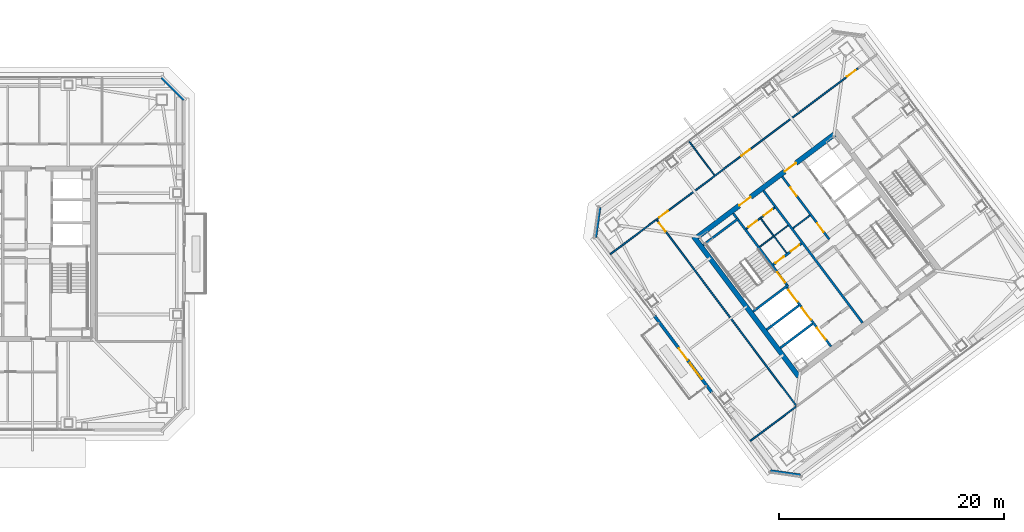
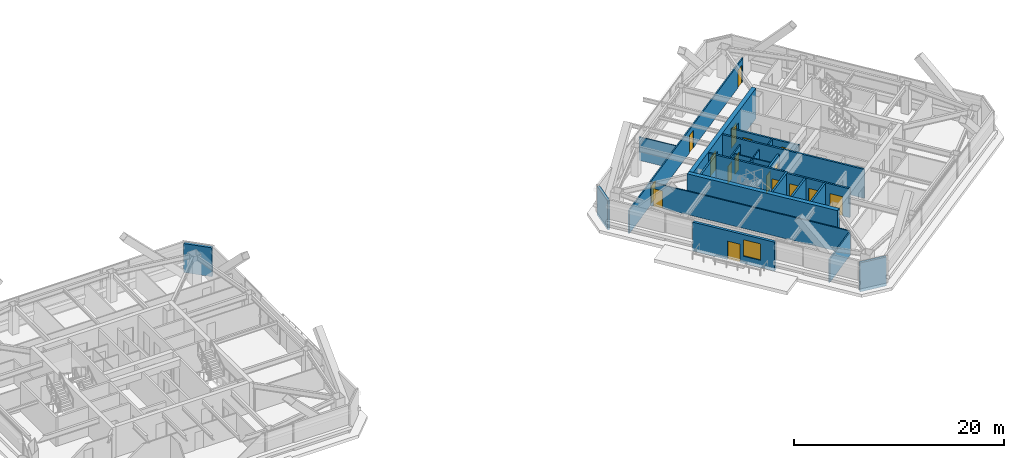
# One storey, part 32 of 39: 24 walls, 17 doors, 1 window, 18 openings.
"""IFC4 building model written with IfcOpenShell, lengths in metres."""

from ifc_helpers import new_model, si_unit, direction, frame, frame_2d, origin, place, context, subcontext, project, spatial, rectangle, extrude, material, layer, layer_set, type_object, element, fill, save


model = new_model("IFC4")

# Units and contexts
model_context = context("Model", 3, precision=1e-05, world=origin(), true_north=direction((0.0, 1.0)))
body_context = subcontext(model_context, "Body", "Model", "MODEL_VIEW")
ifc_project = project(units=[si_unit("LENGTHUNIT", "METRE"), si_unit("AREAUNIT", "SQUARE_METRE"), si_unit("VOLUMEUNIT", "CUBIC_METRE"), si_unit("PLANEANGLEUNIT", "RADIAN"), si_unit("MASSUNIT", "GRAM", prefix="KILO")], contexts=[model_context])

# Site, building, storey
site_placement = place(None, origin())
site = spatial("IfcSite", under=ifc_project, at=site_placement, CompositionType="ELEMENT")
building_placement = place(site_placement, origin())
building = spatial("IfcBuilding", under=site, at=building_placement, Name="Tashvorn Skyway Center", CompositionType="ELEMENT")
storey_placement = place(building_placement, frame((0.0, 0.0, 232.60009765625)))
storey = spatial("IfcBuildingStorey", under=building, at=storey_placement, Name="L63", CompositionType="ELEMENT", Elevation=232.60009765625)

# Wall
ifc_material_1 = material(Name="Concrete C50/60", Category="concrete")
ifc_layer_1 = layer(ifc_material_1, 0.449951171875)
ifc_layer_set_1 = layer_set([ifc_layer_1], Name="Concrete C50/60")
wall_type_1 = type_object("IfcWallType", Name="WALL-CORE-450", PredefinedType="SHEAR", material=ifc_layer_set_1)
wall_1_placement = place(storey_placement, frame((112.39599609375, 21.047119140625, 0.0), z_axis=(0.0, 0.0, 1.0), x_axis=(-0.600005007985, 0.799996243986, 0.0)))
element("IfcWall", 1, at=wall_1_placement, inside=storey, type_object=wall_type_1, Name="Tower 2 L63 West Core Shear Wall", PredefinedType="SHEAR", context=body_context, shape_type="SweptSolid", body=[
    extrude(rectangle(XDim=15.60009765625, YDim=0.449951171875, at=frame_2d((7.800048828125, 0.0))), origin(), (0.0, 0.0, 1.0), 3.5498046875),
])

# Wall, openings, doors
wall_2_placement = place(storey_placement, frame((103.35107421875, 33.48193359375, 0.0), z_axis=(0.0, 0.0, 1.0), x_axis=(0.8, 0.6, 0.0)))
wall_2 = element("IfcWall", 2, at=wall_2_placement, inside=storey, type_object=wall_type_1, Name="Tower 2 L63 North Core Shear Wall", PredefinedType="SHEAR", context=body_context, shape_type="SweptSolid", body=[
    extrude(rectangle(XDim=15.260009765625, YDim=0.449951171875, at=frame_2d((7.6298828125, 0.0))), origin(), (0.0, 0.0, 1.0), 3.5498046875),
])
opening_1_placement = place(wall_2_placement, frame((4.679931640625, 0.0, 0.0)))
opening_1 = element("IfcOpeningElement", 3, at=opening_1_placement, cuts=wall_2, Name="Opening D-FFL-1250", PredefinedType="OPENING", context=body_context, shape_type="SweptSolid", body=[
    extrude(rectangle(XDim=1.25, YDim=2.25, at=frame_2d((0.625, 1.125))), frame((0.0, 0.23486328125, 0.0), z_axis=(0.0, -1.0, 0.0), x_axis=(1.0, 0.0, 0.0)), (0.0, 0.0, 1.0), 0.469970703125),
])
opening_2_placement = place(wall_2_placement, frame((9.72998046875, 0.0, 0.0)))
opening_2 = element("IfcOpeningElement", 4, at=opening_2_placement, cuts=wall_2, Name="Opening D-FFL-1250", PredefinedType="OPENING", context=body_context, shape_type="SweptSolid", body=[
    extrude(rectangle(XDim=1.25, YDim=2.25, at=frame_2d((0.625, 1.125))), frame((0.0, 0.23486328125, 0.0), z_axis=(0.0, -1.0, 0.0), x_axis=(1.0, 0.0, 0.0)), (0.0, 0.0, 1.0), 0.469970703125),
])
ifc_material_2 = material(Name="Hollow galvanized steel fire door assembly", Category="steel")
door_type_1 = type_object("IfcDoorType", Name="DOOR-FFL-1250", OperationType="NOTDEFINED", PredefinedType="DOOR", material=ifc_material_2)
door_1_placement = place(opening_1_placement, origin())
door_1 = element("IfcDoor", 5, at=door_1_placement, inside=storey, type_object=door_type_1, Name="Tower 2 L63 Core North Service Lobby Door", OperationType="SINGLE_SWING_LEFT", OverallHeight=2.25, OverallWidth=1.25, PredefinedType="DOOR", context=body_context, shape_type="SweptSolid", body=[
    extrude(rectangle(XDim=1.25, YDim=2.25, at=frame_2d((0.625, 1.125))), frame((0.0, 0.02490234375, 0.0), z_axis=(0.0, -1.0, 0.0), x_axis=(1.0, 0.0, 0.0)), (0.0, 0.0, 1.0), 0.050048828125),
])
fill(opening_1, door_1)
door_2_placement = place(opening_2_placement, origin())
door_2 = element("IfcDoor", 6, at=door_2_placement, inside=storey, type_object=door_type_1, Name="Tower 2 L63 Core North Lift Lobby Door", OperationType="SINGLE_SWING_RIGHT", OverallHeight=2.25, OverallWidth=1.25, PredefinedType="DOOR", context=body_context, shape_type="SweptSolid", body=[
    extrude(rectangle(XDim=1.25, YDim=2.25, at=frame_2d((0.625, 1.125))), frame((0.0, 0.02490234375, 0.0), z_axis=(0.0, -1.0, 0.0), x_axis=(1.0, 0.0, 0.0)), (0.0, 0.0, 1.0), 0.050048828125),
])
fill(opening_2, door_2)

# Wall
ifc_material_3 = material(Name="Precast concrete C40/50", Category="concrete")
ifc_layer_2 = layer(ifc_material_3, 0.280029296875)
ifc_layer_set_2 = layer_set([ifc_layer_2], Name="Precast concrete C40/50")
wall_type_2 = type_object("IfcWallType", Name="WALL-EXT-280", PredefinedType="SOLIDWALL", material=ifc_layer_set_2)
wall_3_placement = place(storey_placement, frame((55.699951171875, 47.699951171875, 0.0), z_axis=(0.0, 0.0, 1.0), x_axis=(0.707106781187, -0.707106781187, 0.0)))
element("IfcWall", 7, at=wall_3_placement, inside=storey, type_object=wall_type_2, Name="Tower 1 L63 NE Precast Chamfer Wall", PredefinedType="SOLIDWALL", context=body_context, shape_type="SweptSolid", body=[
    extrude(rectangle(XDim=2.828369140625, YDim=0.280029296875, at=frame_2d((1.4140625, 0.0))), origin(), (0.0, 0.0, 1.0), 3.369873046875),
])

# Wall, openings, door, window
wall_4_placement = place(storey_placement, frame((104.64599609375, 19.672119140625, 0.0), z_axis=(0.0, 0.0, 1.0), x_axis=(-0.600018382406, 0.799986212866, 0.0)))
wall_4 = element("IfcWall", 8, at=wall_4_placement, inside=storey, type_object=wall_type_2, Name="Tower 2 L63 West Terrace Portal Wall", PredefinedType="SOLIDWALL", context=body_context, shape_type="SweptSolid", body=[
    extrude(rectangle(XDim=8.5, YDim=0.280029296875, at=frame_2d((4.25, 0.0))), origin(), (0.0, 0.0, 1.0), 3.369873046875),
])
opening_3_placement = place(wall_4_placement, frame((3.60009765625, 0.0, 0.0)))
opening_3 = element("IfcOpeningElement", 9, at=opening_3_placement, cuts=wall_4, Name="Opening D-TER-1300", PredefinedType="OPENING", context=body_context, shape_type="SweptSolid", body=[
    extrude(rectangle(XDim=1.300048828125, YDim=2.14990234375, at=frame_2d((0.64990234375, 1.074951171875))), frame((0.0, 0.14990234375, 0.0), z_axis=(0.0, -1.0, 0.0), x_axis=(1.0, 0.0, 0.0)), (0.0, 0.0, 1.0), 0.300048828125),
])
opening_4_placement = place(wall_4_placement, frame((1.4599609375, 0.0, 0.85009765625)))
opening_4 = element("IfcOpeningElement", 10, at=opening_4_placement, cuts=wall_4, Name="Opening WIN-1800", PredefinedType="OPENING", context=body_context, shape_type="SweptSolid", body=[
    extrude(rectangle(XDim=1.800048828125, YDim=1.919921875, at=frame_2d((0.89990234375, 0.9599609375))), frame((0.0, 0.14990234375, 0.0), z_axis=(0.0, -1.0, 0.0), x_axis=(1.0, 0.0, 0.0)), (0.0, 0.0, 1.0), 0.300048828125),
])
ifc_material_4 = material(Name="Thermally broken bronze-anodized aluminium 6063-T6", Category="aluminium")
door_type_2 = type_object("IfcDoorType", Name="DOOR-TERR-1300", OperationType="NOTDEFINED", PredefinedType="DOOR", material=ifc_material_4)
door_3_placement = place(opening_3_placement, origin())
door_3 = element("IfcDoor", 11, at=door_3_placement, inside=storey, type_object=door_type_2, Name="Tower 2 L63 Terrace Access Door", OperationType="SINGLE_SWING_RIGHT", OverallHeight=2.14990234375, OverallWidth=1.300048828125, PredefinedType="DOOR", context=body_context, shape_type="SweptSolid", body=[
    extrude(rectangle(XDim=1.300048828125, YDim=2.14990234375, at=frame_2d((0.64990234375, 1.074951171875))), frame((0.0, 0.02490234375, 0.0), z_axis=(0.0, -1.0, 0.0), x_axis=(1.0, 0.0, 0.0)), (0.0, 0.0, 1.0), 0.050048828125),
])
fill(opening_3, door_3)
ifc_material_5 = material(Name="Low-E solar-control double insulating safety glass", Category="glass")
window_type = type_object("IfcWindowType", Name="WIN-TERR-1800", PartitioningType="SINGLE_PANEL", PredefinedType="WINDOW", material=ifc_material_5)
window_placement = place(opening_4_placement, origin())
window = element("IfcWindow", 12, at=window_placement, inside=storey, type_object=window_type, Name="Tower 2 L63 Terrace Window", OverallHeight=1.919921875, OverallWidth=1.800048828125, PartitioningType="SINGLE_PANEL", PredefinedType="WINDOW", context=body_context, shape_type="SweptSolid", body=[
    extrude(rectangle(XDim=1.800048828125, YDim=1.919921875, at=frame_2d((0.89990234375, 0.9599609375))), frame((0.0, 0.030029296875, 0.0), z_axis=(0.0, -1.0, 0.0), x_axis=(1.0, 0.0, 0.0)), (0.0, 0.0, 1.0), 0.06005859375),
])
fill(opening_4, window)

# Walls
for number, where, z_axis, x_axis, name in (
    (13, (112.5400390625, 12.280029296875, 0.0), (0.0, 0.0, 1.0), (-0.989956760759, 0.141370477216, 0.0), "Tower 2 L63 SW Precast Chamfer Wall"),
    (14, (94.280029296875, 33.4599609375, 0.0), (0.0, 0.0, 1.0), (0.141370477216, 0.989956760759, 0.0), "Tower 2 L63 NW Precast Chamfer Wall"),
):
    element("IfcWall", number, at=place(storey_placement, frame(where, z_axis=z_axis, x_axis=x_axis)), inside=storey, type_object=wall_type_2, Name=name, PredefinedType="SOLIDWALL", context=body_context, shape_type="SweptSolid", body=[
        extrude(rectangle(XDim=2.687255859375, YDim=0.280029296875, at=frame_2d((1.34375, 0.0))), origin(), (0.0, 0.0, 1.0), 3.369873046875),
    ])

# Wall, openings, doors
ifc_material_6 = material(Name="Concrete C40/50", Category="concrete")
ifc_layer_3 = layer(ifc_material_6, 0.219970703125)
ifc_layer_set_3 = layer_set([ifc_layer_3], Name="Concrete C40/50")
wall_type_3 = type_object("IfcWallType", Name="WALL-FFL-220", PredefinedType="SOLIDWALL", material=ifc_layer_set_3)
wall_5_placement = place(storey_placement, frame((110.10400390625, 31.028076171875, 0.0), z_axis=(0.0, 0.0, 1.0), x_axis=(0.800018601094, 0.59997519774, 0.0)))
wall_5 = element("IfcWall", 15, at=wall_5_placement, inside=storey, type_object=wall_type_3, Name="Tower 2 L63 Firefighting Lobby North Wall", PredefinedType="SOLIDWALL", context=body_context, shape_type="SweptSolid", body=[
    extrude(rectangle(XDim=3.14990234375, YDim=0.219970703125, at=frame_2d((1.574951171875, 0.0))), origin(), (0.0, 0.0, 1.0), 2.722900390625),
])
opening_5_placement = place(wall_5_placement, frame((0.25, 0.0, 0.0)))
opening_5 = element("IfcOpeningElement", 16, at=opening_5_placement, cuts=wall_5, Name="Opening D-RT-950", PredefinedType="OPENING", context=body_context, shape_type="SweptSolid", body=[
    extrude(rectangle(XDim=0.949951171875, YDim=2.050048828125, at=frame_2d((0.47509765625, 1.02490234375))), frame((0.0, 0.119873046875, 0.0), z_axis=(0.0, -1.0, 0.0), x_axis=(1.0, 0.0, 0.0)), (0.0, 0.0, 1.0), 0.239990234375),
])
opening_6_placement = place(wall_5_placement, frame((1.949951171875, 0.0, 0.0)))
opening_6 = element("IfcOpeningElement", 17, at=opening_6_placement, cuts=wall_5, Name="Opening D-RT-950", PredefinedType="OPENING", context=body_context, shape_type="SweptSolid", body=[
    extrude(rectangle(XDim=0.949951171875, YDim=2.050048828125, at=frame_2d((0.47509765625, 1.02490234375))), frame((0.0, 0.119873046875, 0.0), z_axis=(0.0, -1.0, 0.0), x_axis=(1.0, 0.0, 0.0)), (0.0, 0.0, 1.0), 0.239990234375),
])
door_type_3 = type_object("IfcDoorType", Name="DOOR-RATED-950", OperationType="NOTDEFINED", PredefinedType="DOOR", material=ifc_material_2)
door_4_placement = place(opening_5_placement, origin())
door_4 = element("IfcDoor", 18, at=door_4_placement, inside=storey, type_object=door_type_3, Name="Tower 2 L63 Core Mail Room Door", OperationType="SINGLE_SWING_LEFT", OverallHeight=2.050048828125, OverallWidth=0.949951171875, PredefinedType="DOOR", context=body_context, shape_type="SweptSolid", body=[
    extrude(rectangle(XDim=0.949951171875, YDim=2.050048828125, at=frame_2d((0.47509765625, 1.02490234375))), frame((0.0, 0.02490234375, 0.0), z_axis=(0.0, -1.0, 0.0), x_axis=(1.0, 0.0, 0.0)), (0.0, 0.0, 1.0), 0.050048828125),
])
fill(opening_5, door_4)
door_5_placement = place(opening_6_placement, origin())
door_5 = element("IfcDoor", 19, at=door_5_placement, inside=storey, type_object=door_type_3, Name="Tower 2 L63 Core Supply Closet Door", OperationType="SINGLE_SWING_RIGHT", OverallHeight=2.050048828125, OverallWidth=0.949951171875, PredefinedType="DOOR", context=body_context, shape_type="SweptSolid", body=[
    extrude(rectangle(XDim=0.949951171875, YDim=2.050048828125, at=frame_2d((0.47509765625, 1.02490234375))), frame((0.0, 0.02490234375, 0.0), z_axis=(0.0, -1.0, 0.0), x_axis=(1.0, 0.0, 0.0)), (0.0, 0.0, 1.0), 0.050048828125),
])
fill(opening_6, door_5)

# Wall
ifc_material_7 = material(Name="Gypsum board on cold-formed steel stud framing", Category="steel")
ifc_layer_4 = layer(ifc_material_7, 0.110107421875)
ifc_layer_set_4 = layer_set([ifc_layer_4], Name="Gypsum board on cold-formed steel stud framing")
wall_type_4 = type_object("IfcWallType", Name="WALL-PART-110", PredefinedType="PARTITIONING", material=ifc_layer_set_4)
wall_6_placement = place(storey_placement, frame((104.8720703125, 39.00390625, 0.0), z_axis=(0.0, 0.0, 1.0), x_axis=(-0.6, 0.8, 0.0)))
element("IfcWall", 20, at=wall_6_placement, inside=storey, type_object=wall_type_4, Name="Tower 2 L63 North Suite Partition 1", PredefinedType="PARTITIONING", context=body_context, shape_type="SweptSolid", body=[
    extrude(rectangle(XDim=3.800048828125, YDim=0.110107421875, at=frame_2d((1.89990234375, 0.0))), origin(), (0.0, 0.0, 1.0), 2.722900390625),
])

# Wall, openings, doors
ifc_layer_5 = layer(ifc_material_7, 0.135009765625)
ifc_layer_set_5 = layer_set([ifc_layer_5], Name="Gypsum board on cold-formed steel stud framing")
wall_type_5 = type_object("IfcWallType", Name="WALL-PART-135", PredefinedType="PARTITIONING", material=ifc_layer_set_5)
wall_7_placement = place(storey_placement, frame((99.736083984375, 35.052001953125, 0.0), z_axis=(0.0, 0.0, 1.0), x_axis=(0.799997387685, 0.600003483071, 0.0)))
wall_7 = element("IfcWall", 21, at=wall_7_placement, inside=storey, type_object=wall_type_5, Name="Tower 2 L63 North Suite Wall", PredefinedType="PARTITIONING", context=body_context, shape_type="SweptSolid", body=[
    extrude(rectangle(XDim=22.429931640625, YDim=0.135009765625, at=frame_2d((11.21484375, 0.0))), origin(), (0.0, 0.0, 1.0), 2.722900390625),
])
opening_7_placement = place(wall_7_placement, frame((0.300048828125, 0.0, 0.0)))
opening_7 = element("IfcOpeningElement", 22, at=opening_7_placement, cuts=wall_7, Name="Opening D-INT-950", PredefinedType="OPENING", context=body_context, shape_type="SweptSolid", body=[
    extrude(rectangle(XDim=0.949951171875, YDim=2.050048828125, at=frame_2d((0.47509765625, 1.02490234375))), frame((0.0, 0.077392578125, 0.0), z_axis=(0.0, -1.0, 0.0), x_axis=(1.0, 0.0, 0.0)), (0.0, 0.0, 1.0), 0.155029296875),
])
opening_8_placement = place(wall_7_placement, frame((9.42333984375, 0.0, 0.0)))
opening_8 = element("IfcOpeningElement", 23, at=opening_8_placement, cuts=wall_7, Name="Opening D-INT-950", PredefinedType="OPENING", context=body_context, shape_type="SweptSolid", body=[
    extrude(rectangle(XDim=0.949951171875, YDim=2.050048828125, at=frame_2d((0.47509765625, 1.02490234375))), frame((0.0, 0.077392578125, 0.0), z_axis=(0.0, -1.0, 0.0), x_axis=(1.0, 0.0, 0.0)), (0.0, 0.0, 1.0), 0.155029296875),
])
opening_9_placement = place(wall_7_placement, frame((21.179931640625, 0.0, 0.0)))
opening_9 = element("IfcOpeningElement", 24, at=opening_9_placement, cuts=wall_7, Name="Opening D-INT-950", PredefinedType="OPENING", context=body_context, shape_type="SweptSolid", body=[
    extrude(rectangle(XDim=0.949951171875, YDim=2.050048828125, at=frame_2d((0.47509765625, 1.02490234375))), frame((0.0, 0.077392578125, 0.0), z_axis=(0.0, -1.0, 0.0), x_axis=(1.0, 0.0, 0.0)), (0.0, 0.0, 1.0), 0.155029296875),
])
ifc_material_8 = material(Name="Solid-core architectural oak veneer door")
door_type_4 = type_object("IfcDoorType", Name="DOOR-INT-950", OperationType="NOTDEFINED", PredefinedType="DOOR", material=ifc_material_8)
door_6_placement = place(opening_7_placement, origin())
door_6 = element("IfcDoor", 25, at=door_6_placement, inside=storey, type_object=door_type_4, Name="Tower 2 L63 Operations Control Room Door", OperationType="SINGLE_SWING_LEFT", OverallHeight=2.050048828125, OverallWidth=0.949951171875, PredefinedType="DOOR", context=body_context, shape_type="SweptSolid", body=[
    extrude(rectangle(XDim=0.949951171875, YDim=2.050048828125, at=frame_2d((0.47509765625, 1.02490234375))), frame((0.0, 0.02490234375, 0.0), z_axis=(0.0, -1.0, 0.0), x_axis=(1.0, 0.0, 0.0)), (0.0, 0.0, 1.0), 0.050048828125),
])
fill(opening_7, door_6)
door_7_placement = place(opening_8_placement, origin())
door_7 = element("IfcDoor", 26, at=door_7_placement, inside=storey, type_object=door_type_4, Name="Tower 2 L63 Operations Control Room Door", OperationType="SINGLE_SWING_RIGHT", OverallHeight=2.050048828125, OverallWidth=0.949951171875, PredefinedType="DOOR", context=body_context, shape_type="SweptSolid", body=[
    extrude(rectangle(XDim=0.949951171875, YDim=2.050048828125, at=frame_2d((0.47509765625, 1.02490234375))), frame((0.0, 0.02490234375, 0.0), z_axis=(0.0, -1.0, 0.0), x_axis=(1.0, 0.0, 0.0)), (0.0, 0.0, 1.0), 0.050048828125),
])
fill(opening_8, door_7)
door_8_placement = place(opening_9_placement, origin())
door_8 = element("IfcDoor", 27, at=door_8_placement, inside=storey, type_object=door_type_4, Name="Tower 2 L63 Boardroom Door", OperationType="SINGLE_SWING_LEFT", OverallHeight=2.050048828125, OverallWidth=0.949951171875, PredefinedType="DOOR", context=body_context, shape_type="SweptSolid", body=[
    extrude(rectangle(XDim=0.949951171875, YDim=2.050048828125, at=frame_2d((0.47509765625, 1.02490234375))), frame((0.0, 0.02490234375, 0.0), z_axis=(0.0, -1.0, 0.0), x_axis=(1.0, 0.0, 0.0)), (0.0, 0.0, 1.0), 0.050048828125),
])
fill(opening_9, door_8)

# Wall, opening, door
wall_8_placement = place(storey_placement, frame((112.14990234375, 18.5, 0.0), z_axis=(0.0, 0.0, 1.0), x_axis=(-0.599998104681, 0.800001421485, 0.0)))
wall_8 = element("IfcWall", 28, at=wall_8_placement, inside=storey, type_object=wall_type_5, Name="Tower 2 L63 West Inner Suite Wall", PredefinedType="PARTITIONING", context=body_context, shape_type="SweptSolid", body=[
    extrude(rectangle(XDim=20.610107421875, YDim=0.135009765625, at=frame_2d((10.30517578125, 0.0))), origin(), (0.0, 0.0, 1.0), 2.722900390625),
])
opening_10_placement = place(wall_8_placement, frame((19.360107421875, 0.0, 0.0)))
opening_10 = element("IfcOpeningElement", 29, at=opening_10_placement, cuts=wall_8, Name="Opening D-INT-950", PredefinedType="OPENING", context=body_context, shape_type="SweptSolid", body=[
    extrude(rectangle(XDim=0.949951171875, YDim=2.050048828125, at=frame_2d((0.47509765625, 1.02490234375))), frame((0.0, 0.077392578125, 0.0), z_axis=(0.0, -1.0, 0.0), x_axis=(1.0, 0.0, 0.0)), (0.0, 0.0, 1.0), 0.155029296875),
])
door_9_placement = place(opening_10_placement, origin())
door_9 = element("IfcDoor", 30, at=door_9_placement, inside=storey, type_object=door_type_4, Name="Tower 2 L63 Public Restroom Door", OperationType="SINGLE_SWING_LEFT", OverallHeight=2.050048828125, OverallWidth=0.949951171875, PredefinedType="DOOR", context=body_context, shape_type="SweptSolid", body=[
    extrude(rectangle(XDim=0.949951171875, YDim=2.050048828125, at=frame_2d((0.47509765625, 1.02490234375))), frame((0.0, 0.02490234375, 0.0), z_axis=(0.0, -1.0, 0.0), x_axis=(1.0, 0.0, 0.0)), (0.0, 0.0, 1.0), 0.050048828125),
])
fill(opening_10, door_9)

# Walls
for number, where, z_axis, x_axis, name in (
    (31, (99.672119140625, 35.00390625, 0.0), (0.0, 0.0, 1.0), (-0.800011556537, -0.599984590975, 0.0), "Tower 2 L63 West Suite North Wall"),
    (32, (108.077880859375, 15.345947265625, 0.0), (0.0, 0.0, 1.0), (0.800011556537, 0.599984590975, 0.0), "Tower 2 L63 West Suite South Wall"),
):
    element("IfcWall", number, at=place(storey_placement, frame(where, z_axis=z_axis, x_axis=x_axis)), inside=storey, type_object=wall_type_5, Name=name, PredefinedType="PARTITIONING", context=body_context, shape_type="SweptSolid", body=[
        extrude(rectangle(XDim=5.070068359375, YDim=0.135009765625, at=frame_2d((2.53515625, 0.0))), origin(), (0.0, 0.0, 1.0), 2.722900390625),
    ])
ifc_layer_6 = layer(ifc_material_7, 0.110107421875)
ifc_layer_set_6 = layer_set([ifc_layer_6], Name="Gypsum board on cold-formed steel stud framing")
wall_type_6 = type_object("IfcWallType", Name="WALL-RATED-110", PredefinedType="PARTITIONING", material=ifc_layer_set_6)
wall_9_placement = place(storey_placement, frame((111.2958984375, 32.072021484375, 0.0), z_axis=(0.0, 0.0, 1.0), x_axis=(-0.59995887973, 0.800030838552, 0.0)))
element("IfcWall", 33, at=wall_9_placement, inside=storey, type_object=wall_type_6, Name="Tower 2 L63 Core Cross Vertical", PredefinedType="PARTITIONING", context=body_context, shape_type="SweptSolid", body=[
    extrude(rectangle(XDim=3.7998046875, YDim=0.110107421875, at=frame_2d((1.89990234375, 0.0))), origin(), (0.0, 0.0, 1.0), 2.722900390625),
])
wall_10_placement = place(storey_placement, frame((108.909912109375, 32.6201171875, 0.0), z_axis=(0.0, 0.0, 1.0), x_axis=(0.800018601094, 0.59997519774, 0.0)))
element("IfcWall", 34, at=wall_10_placement, inside=storey, type_object=wall_type_6, Name="Tower 2 L63 Core Cross Horizontal", PredefinedType="PARTITIONING", context=body_context, shape_type="SweptSolid", body=[
    extrude(rectangle(XDim=3.14990234375, YDim=0.110107421875, at=frame_2d((1.574951171875, 0.0))), origin(), (0.0, 0.0, 1.0), 2.722900390625),
])

# Wall, openings, doors
ifc_layer_7 = layer(ifc_material_7, 0.135009765625)
ifc_layer_set_7 = layer_set([ifc_layer_7], Name="Gypsum board on cold-formed steel stud framing")
wall_type_7 = type_object("IfcWallType", Name="WALL-RATED-135", PredefinedType="PARTITIONING", material=ifc_layer_set_7)
wall_11_placement = place(storey_placement, frame((107.7099609375, 34.219970703125, 0.0), z_axis=(0.0, 0.0, 1.0), x_axis=(0.799981399002, 0.60002480053, 0.0)))
wall_11 = element("IfcWall", 35, at=wall_11_placement, inside=storey, type_object=wall_type_7, Name="Tower 2 L63 Core Service Lobby Wall", PredefinedType="PARTITIONING", context=body_context, shape_type="SweptSolid", body=[
    extrude(rectangle(XDim=3.150146484375, YDim=0.135009765625, at=frame_2d((1.5751953125, 0.0))), origin(), (0.0, 0.0, 1.0), 2.722900390625),
])
opening_11_placement = place(wall_11_placement, frame((0.25, 0.0, 0.0)))
opening_11 = element("IfcOpeningElement", 36, at=opening_11_placement, cuts=wall_11, Name="Opening D-RT-950", PredefinedType="OPENING", context=body_context, shape_type="SweptSolid", body=[
    extrude(rectangle(XDim=0.949951171875, YDim=2.050048828125, at=frame_2d((0.47509765625, 1.02490234375))), frame((0.0, 0.077392578125, 0.0), z_axis=(0.0, -1.0, 0.0), x_axis=(1.0, 0.0, 0.0)), (0.0, 0.0, 1.0), 0.155029296875),
])
opening_12_placement = place(wall_11_placement, frame((1.949951171875, 0.0, 0.0)))
opening_12 = element("IfcOpeningElement", 37, at=opening_12_placement, cuts=wall_11, Name="Opening D-RT-950", PredefinedType="OPENING", context=body_context, shape_type="SweptSolid", body=[
    extrude(rectangle(XDim=0.949951171875, YDim=2.050048828125, at=frame_2d((0.47509765625, 1.02490234375))), frame((0.0, 0.077392578125, 0.0), z_axis=(0.0, -1.0, 0.0), x_axis=(1.0, 0.0, 0.0)), (0.0, 0.0, 1.0), 0.155029296875),
])
door_10_placement = place(opening_11_placement, origin())
door_10 = element("IfcDoor", 38, at=door_10_placement, inside=storey, type_object=door_type_3, Name="Tower 2 L63 Core Cleaner Store Door", OperationType="SINGLE_SWING_LEFT", OverallHeight=2.050048828125, OverallWidth=0.949951171875, PredefinedType="DOOR", context=body_context, shape_type="SweptSolid", body=[
    extrude(rectangle(XDim=0.949951171875, YDim=2.050048828125, at=frame_2d((0.47509765625, 1.02490234375))), frame((0.0, 0.02490234375, 0.0), z_axis=(0.0, -1.0, 0.0), x_axis=(1.0, 0.0, 0.0)), (0.0, 0.0, 1.0), 0.050048828125),
])
fill(opening_11, door_10)
door_11_placement = place(opening_12_placement, origin())
door_11 = element("IfcDoor", 39, at=door_11_placement, inside=storey, type_object=door_type_3, Name="Tower 2 L63 Core Accessible WC Door", OperationType="SINGLE_SWING_RIGHT", OverallHeight=2.050048828125, OverallWidth=0.949951171875, PredefinedType="DOOR", context=body_context, shape_type="SweptSolid", body=[
    extrude(rectangle(XDim=0.949951171875, YDim=2.050048828125, at=frame_2d((0.47509765625, 1.02490234375))), frame((0.0, 0.02490234375, 0.0), z_axis=(0.0, -1.0, 0.0), x_axis=(1.0, 0.0, 0.0)), (0.0, 0.0, 1.0), 0.050048828125),
])
fill(opening_12, door_11)

# Walls
wall_12_placement = place(storey_placement, frame((111.8759765625, 34.281982421875, 0.0), z_axis=(0.0, 0.0, 1.0), x_axis=(0.8, 0.6, 0.0)))
element("IfcWall", 40, at=wall_12_placement, inside=storey, type_object=wall_type_7, Name="Tower 2 L63 Freed Mid-Rise Partition", PredefinedType="PARTITIONING", context=body_context, shape_type="SweptSolid", body=[
    extrude(rectangle(XDim=1.8798828125, YDim=0.135009765625, at=frame_2d((0.93994140625, 0.0))), origin(), (0.0, 0.0, 1.0), 2.722900390625),
])
ifc_layer_8 = layer(ifc_material_6, 0.199951171875)
ifc_layer_set_8 = layer_set([ifc_layer_8], Name="Concrete C40/50")
wall_type_8 = type_object("IfcWallType", Name="WALL-SHAFT-200", PredefinedType="SOLIDWALL", material=ifc_layer_set_8)
for number, where, z_axis, x_axis, name in (
    (41, (110.74609375, 23.6220703125, 0.0), (0.0, 0.0, 1.0), (0.800008183455, 0.599989088572, 0.0), "Tower 2 L63 FSAE Shaft Divider"),
    (42, (109.528076171875, 25.24609375, 0.0), (0.0, 0.0, 1.0), (0.800008183455, 0.599989088572, 0.0), "Tower 2 L63 FSAE Shaft Divider"),
):
    element("IfcWall", number, at=place(storey_placement, frame(where, z_axis=z_axis, x_axis=x_axis)), inside=storey, type_object=wall_type_8, Name=name, PredefinedType="SOLIDWALL", context=body_context, shape_type="SweptSolid", body=[
        extrude(rectangle(XDim=3.580078125, YDim=0.199951171875, at=frame_2d((1.7900390625, 0.0))), origin(), (0.0, 0.0, 1.0), 3.369873046875),
    ])

# Wall, openings, doors
wall_13_placement = place(storey_placement, frame((115.110107421875, 33.27001953125, 0.0), z_axis=(0.0, 0.0, 1.0), x_axis=(-0.600011160345, 0.79999162962, 0.0)))
wall_13 = element("IfcWall", 43, at=wall_13_placement, inside=storey, type_object=wall_type_8, Name="Tower 2 L63 Mid-Rise Core Wall", PredefinedType="SOLIDWALL", context=body_context, shape_type="SweptSolid", body=[
    extrude(rectangle(XDim=7.000244140625, YDim=0.199951171875, at=frame_2d((3.5, 0.0))), origin(), (0.0, 0.0, 1.0), 2.722900390625),
])
opening_13_placement = place(wall_13_placement, frame((0.85009765625, 0.0, 0.0)))
opening_13 = element("IfcOpeningElement", 44, at=opening_13_placement, cuts=wall_13, Name="Opening D-RT-950", PredefinedType="OPENING", context=body_context, shape_type="SweptSolid", body=[
    extrude(rectangle(XDim=0.949951171875, YDim=2.050048828125, at=frame_2d((0.47509765625, 1.02490234375))), frame((0.0, 0.10986328125, 0.0), z_axis=(0.0, -1.0, 0.0), x_axis=(1.0, 0.0, 0.0)), (0.0, 0.0, 1.0), 0.219970703125),
])
opening_14_placement = place(wall_13_placement, frame((4.85009765625, 0.0, 0.0)))
opening_14 = element("IfcOpeningElement", 45, at=opening_14_placement, cuts=wall_13, Name="Opening D-RT-950", PredefinedType="OPENING", context=body_context, shape_type="SweptSolid", body=[
    extrude(rectangle(XDim=0.949951171875, YDim=2.050048828125, at=frame_2d((0.47509765625, 1.02490234375))), frame((0.0, 0.10986328125, 0.0), z_axis=(0.0, -1.0, 0.0), x_axis=(1.0, 0.0, 0.0)), (0.0, 0.0, 1.0), 0.219970703125),
])
door_12_placement = place(opening_13_placement, origin())
door_12 = element("IfcDoor", 46, at=door_12_placement, inside=storey, type_object=door_type_3, Name="Tower 2 L63 Core IT Room Door", OperationType="SINGLE_SWING_RIGHT", OverallHeight=2.050048828125, OverallWidth=0.949951171875, PredefinedType="DOOR", context=body_context, shape_type="SweptSolid", body=[
    extrude(rectangle(XDim=0.949951171875, YDim=2.050048828125, at=frame_2d((0.47509765625, 1.02490234375))), frame((0.0, 0.02490234375, 0.0), z_axis=(0.0, -1.0, 0.0), x_axis=(1.0, 0.0, 0.0)), (0.0, 0.0, 1.0), 0.050048828125),
])
fill(opening_13, door_12)
door_13_placement = place(opening_14_placement, origin())
door_13 = element("IfcDoor", 47, at=door_13_placement, inside=storey, type_object=door_type_3, Name="Tower 2 L63 Core Catering Pantry Door", OperationType="SINGLE_SWING_LEFT", OverallHeight=2.050048828125, OverallWidth=0.949951171875, PredefinedType="DOOR", context=body_context, shape_type="SweptSolid", body=[
    extrude(rectangle(XDim=0.949951171875, YDim=2.050048828125, at=frame_2d((0.47509765625, 1.02490234375))), frame((0.0, 0.02490234375, 0.0), z_axis=(0.0, -1.0, 0.0), x_axis=(1.0, 0.0, 0.0)), (0.0, 0.0, 1.0), 0.050048828125),
])
fill(opening_14, door_13)

# Wall, opening, door
ifc_layer_9 = layer(ifc_material_6, 0.199951171875)
ifc_layer_set_9 = layer_set([ifc_layer_9], Name="Concrete C40/50")
wall_type_9 = type_object("IfcWallType", Name="WALL-STSHF-200", PredefinedType="SHEAR", material=ifc_layer_set_9)
wall_14_placement = place(storey_placement, frame((111.43994140625, 29.080078125, 0.0), z_axis=(0.0, 0.0, 1.0), x_axis=(-0.59999041401, 0.800007189403, 0.0)))
wall_14 = element("IfcWall", 48, at=wall_14_placement, inside=storey, type_object=wall_type_9, Name="Tower 2 L63 Stair 1 Enclosure Wall", PredefinedType="SHEAR", context=body_context, shape_type="SweptSolid", body=[
    extrude(rectangle(XDim=8.14990234375, YDim=0.199951171875, at=frame_2d((4.074951171875, 0.0))), origin(), (0.0, 0.0, 1.0), 3.369873046875),
])
opening_15_placement = place(wall_14_placement, frame((0.449951171875, 0.0, 0.0)))
opening_15 = element("IfcOpeningElement", 49, at=opening_15_placement, cuts=wall_14, Name="Opening D-ST-1150", PredefinedType="OPENING", context=body_context, shape_type="SweptSolid", body=[
    extrude(rectangle(XDim=1.14990234375, YDim=2.199951171875, at=frame_2d((0.574951171875, 1.10009765625))), frame((0.0, 0.10986328125, 0.0), z_axis=(0.0, -1.0, 0.0), x_axis=(1.0, 0.0, 0.0)), (0.0, 0.0, 1.0), 0.219970703125),
])
door_type_5 = type_object("IfcDoorType", Name="DOOR-STAIR-1150", OperationType="NOTDEFINED", PredefinedType="DOOR", material=ifc_material_2)
door_14_placement = place(opening_15_placement, origin())
door_14 = element("IfcDoor", 50, at=door_14_placement, inside=storey, type_object=door_type_5, Name="Tower 2 L63 Exit Stair 1 Door", OperationType="SINGLE_SWING_RIGHT", OverallHeight=2.199951171875, OverallWidth=1.14990234375, PredefinedType="DOOR", context=body_context, shape_type="SweptSolid", body=[
    extrude(rectangle(XDim=1.14990234375, YDim=2.199951171875, at=frame_2d((0.574951171875, 1.10009765625))), frame((0.0, 0.02490234375, 0.0), z_axis=(0.0, -1.0, 0.0), x_axis=(1.0, 0.0, 0.0)), (0.0, 0.0, 1.0), 0.050048828125),
])
fill(opening_15, door_14)

# Walls
for number, where, z_axis, x_axis, name in (
    (51, (108.31591796875, 26.862060546875, 0.0), (0.0, 0.0, 1.0), (0.800014909178, 0.599980120581, 0.0), "Tower 2 L63 Stair 1 South Wall"),
    (52, (103.8759765625, 32.781982421875, 0.0), (0.0, 0.0, 1.0), (0.800014909178, 0.599980120581, 0.0), "Tower 2 L63 Stair 1 North Wall"),
):
    element("IfcWall", number, at=place(storey_placement, frame(where, z_axis=z_axis, x_axis=x_axis)), inside=storey, type_object=wall_type_9, Name=name, PredefinedType="SHEAR", context=body_context, shape_type="SweptSolid", body=[
        extrude(rectangle(XDim=3.929931640625, YDim=0.199951171875, at=frame_2d((1.96484375, 0.0))), origin(), (0.0, 0.0, 1.0), 3.369873046875),
    ])
wall_15_placement = place(storey_placement, frame((118.05810546875, 25.85595703125, 0.0), z_axis=(0.0, 0.0, 1.0), x_axis=(-0.600002657301, 0.799998007018, 0.0)))
element("IfcWall", 53, at=wall_15_placement, inside=storey, type_object=wall_type_9, Name="Tower 2 L63 Firefighting Lobby East Smoke Barrier", PredefinedType="SHEAR", context=body_context, shape_type="SweptSolid", body=[
    extrude(rectangle(XDim=14.699951171875, YDim=0.199951171875, at=frame_2d((7.35009765625, 0.0))), origin(), (0.0, 0.0, 1.0), 3.369873046875),
])

# Wall, openings, doors
wall_16_placement = place(storey_placement, frame((115.25, 23.75, 0.0), z_axis=(0.0, 0.0, 1.0), x_axis=(-0.599994036198, 0.800004472816, 0.0)))
wall_16 = element("IfcWall", 54, at=wall_16_placement, inside=storey, type_object=wall_type_9, Name="Tower 2 L63 FSAE and Goods Shaft Front Wall", PredefinedType="SHEAR", context=body_context, shape_type="SweptSolid", body=[
    extrude(rectangle(XDim=6.550048828125, YDim=0.199951171875, at=frame_2d((3.27490234375, 0.0))), origin(), (0.0, 0.0, 1.0), 3.369873046875),
])
opening_16_placement = place(wall_16_placement, frame((4.97509765625, 0.0, 0.0)))
opening_16 = element("IfcOpeningElement", 55, at=opening_16_placement, cuts=wall_16, Name="Opening LD-FF-T2-1-L63", PredefinedType="OPENING", context=body_context, shape_type="SweptSolid", body=[
    extrude(rectangle(XDim=1.300048828125, YDim=2.25, at=frame_2d((0.64990234375, 1.125))), frame((0.0, 0.10986328125, 0.0), z_axis=(0.0, -1.0, 0.0), x_axis=(1.0, 0.0, 0.0)), (0.0, 0.0, 1.0), 0.219970703125),
])
opening_17_placement = place(wall_16_placement, frame((2.97509765625, 0.0, 0.0)))
opening_17 = element("IfcOpeningElement", 56, at=opening_17_placement, cuts=wall_16, Name="Opening LD-FF-T2-2-L63", PredefinedType="OPENING", context=body_context, shape_type="SweptSolid", body=[
    extrude(rectangle(XDim=1.300048828125, YDim=2.25, at=frame_2d((0.64990234375, 1.125))), frame((0.0, 0.10986328125, 0.0), z_axis=(0.0, -1.0, 0.0), x_axis=(1.0, 0.0, 0.0)), (0.0, 0.0, 1.0), 0.219970703125),
])
opening_18_placement = place(wall_16_placement, frame((0.77490234375, 0.0, 0.0)))
opening_18 = element("IfcOpeningElement", 57, at=opening_18_placement, cuts=wall_16, Name="Opening LD-GD-T2-1-L63", PredefinedType="OPENING", context=body_context, shape_type="SweptSolid", body=[
    extrude(rectangle(XDim=1.300048828125, YDim=2.25, at=frame_2d((0.64990234375, 1.125))), frame((0.0, 0.10986328125, 0.0), z_axis=(0.0, -1.0, 0.0), x_axis=(1.0, 0.0, 0.0)), (0.0, 0.0, 1.0), 0.219970703125),
])
ifc_material_9 = material(Name="Stainless steel heavy-duty landing door", Category="steel")
door_type_6 = type_object("IfcDoorType", Name="DOOR-LIFT-1300", OperationType="SLIDING_TO_LEFT", PredefinedType="DOOR", material=ifc_material_9)
door_15_placement = place(opening_16_placement, origin())
door_15 = element("IfcDoor", 58, at=door_15_placement, inside=storey, type_object=door_type_6, Name="Lift FF-T2-1 L63 Landing Door", OperationType="SLIDING_TO_LEFT", OverallHeight=2.25, OverallWidth=1.300048828125, PredefinedType="DOOR", context=body_context, shape_type="SweptSolid", body=[
    extrude(rectangle(XDim=1.300048828125, YDim=2.25, at=frame_2d((0.64990234375, 1.125))), frame((0.0, 0.02490234375, 0.0), z_axis=(0.0, -1.0, 0.0), x_axis=(1.0, 0.0, 0.0)), (0.0, 0.0, 1.0), 0.050048828125),
])
fill(opening_16, door_15)
door_16_placement = place(opening_17_placement, origin())
door_16 = element("IfcDoor", 59, at=door_16_placement, inside=storey, type_object=door_type_6, Name="Lift FF-T2-2 L63 Landing Door", OperationType="SLIDING_TO_LEFT", OverallHeight=2.25, OverallWidth=1.300048828125, PredefinedType="DOOR", context=body_context, shape_type="SweptSolid", body=[
    extrude(rectangle(XDim=1.300048828125, YDim=2.25, at=frame_2d((0.64990234375, 1.125))), frame((0.0, 0.02490234375, 0.0), z_axis=(0.0, -1.0, 0.0), x_axis=(1.0, 0.0, 0.0)), (0.0, 0.0, 1.0), 0.050048828125),
])
fill(opening_17, door_16)
door_17_placement = place(opening_18_placement, origin())
door_17 = element("IfcDoor", 60, at=door_17_placement, inside=storey, type_object=door_type_6, Name="Lift GD-T2-1 L63 Landing Door", OperationType="SLIDING_TO_LEFT", OverallHeight=2.25, OverallWidth=1.300048828125, PredefinedType="DOOR", context=body_context, shape_type="SweptSolid", body=[
    extrude(rectangle(XDim=1.300048828125, YDim=2.25, at=frame_2d((0.64990234375, 1.125))), frame((0.0, 0.02490234375, 0.0), z_axis=(0.0, -1.0, 0.0), x_axis=(1.0, 0.0, 0.0)), (0.0, 0.0, 1.0), 0.050048828125),
])
fill(opening_18, door_17)

save(model, "model.ifc")
